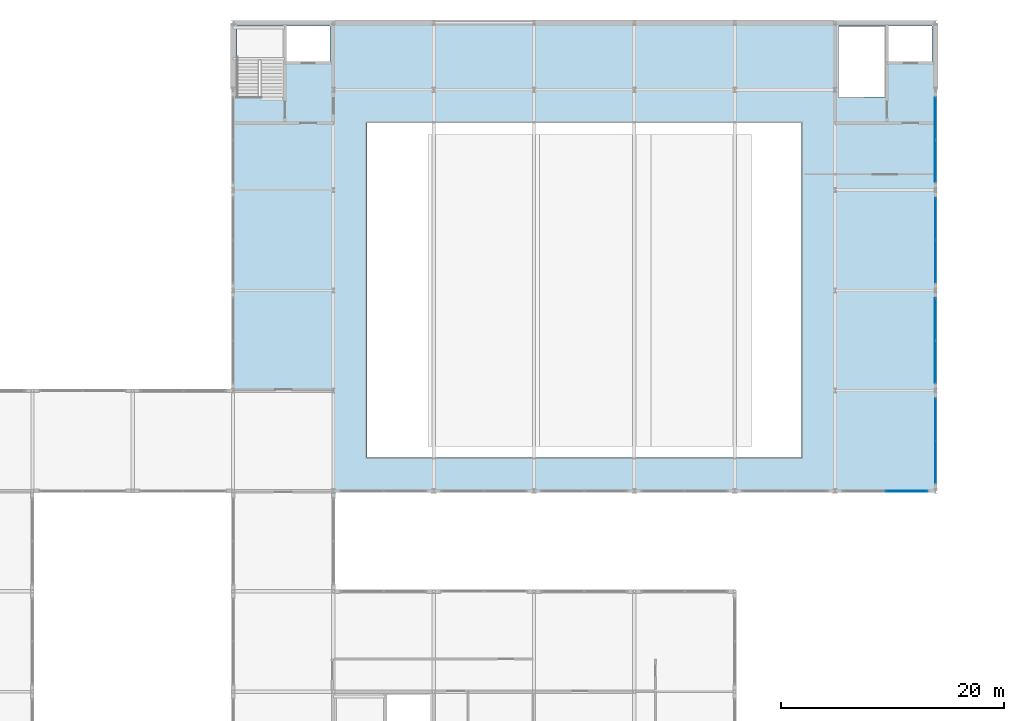
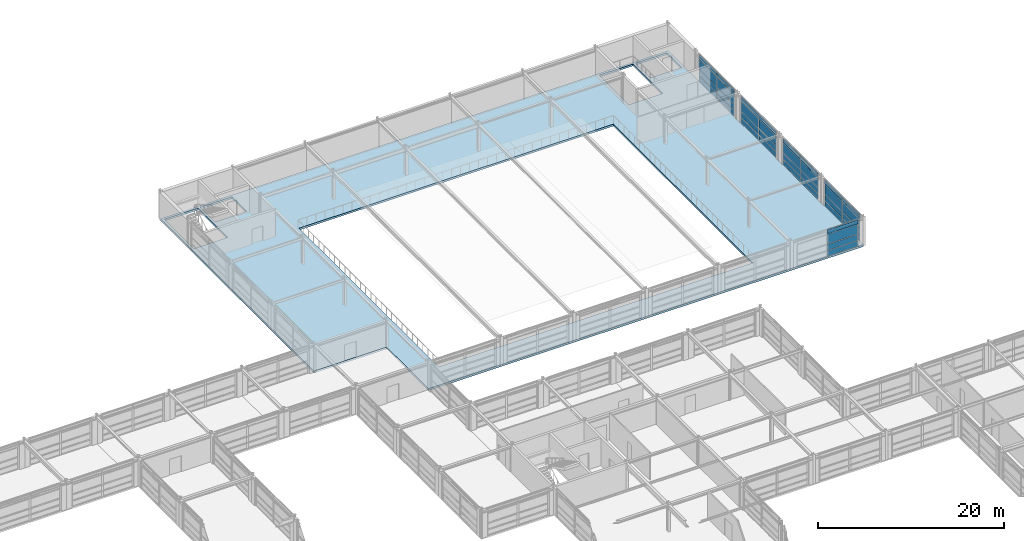
# One storey, part 61 of 79: 36 plates, 1 slab, 5 elements without a shape of their own.
"""IFC4 building model written with IfcOpenShell, lengths in metres."""

from ifc_helpers import new_model, si_unit, direction, frame, origin, origin_2d, place, context, subcontext, project, spatial, polyline, rectangle, outline, extrude, material, layer, layer_set, type_object, element, aggregate, save


model = new_model("IFC4")

# Units and contexts
model_context = context("Model", 3, precision=1e-05, world=origin(), true_north=direction((0.0, 1.0)))
body_context = subcontext(model_context, "Body", "Model", "MODEL_VIEW")
ifc_project = project(units=[si_unit("LENGTHUNIT", "METRE"), si_unit("AREAUNIT", "SQUARE_METRE"), si_unit("VOLUMEUNIT", "CUBIC_METRE"), si_unit("PLANEANGLEUNIT", "RADIAN"), si_unit("MASSUNIT", "GRAM", prefix="KILO")], contexts=[model_context])

# Site, building, storey
site_placement = place(None, origin())
site = spatial("IfcSite", under=ifc_project, at=site_placement, CompositionType="ELEMENT")
building_placement = place(site_placement, origin())
building = spatial("IfcBuilding", under=site, at=building_placement, Name="Palais des Congres Ocreval", CompositionType="ELEMENT")
storey_placement = place(building_placement, frame((0.0, 0.0, 4.320068359375)))
storey = spatial("IfcBuildingStorey", under=building, at=storey_placement, Name="L01", CompositionType="ELEMENT", Elevation=4.320068359375)

# Curtain wall, plates
ifc_material_1 = material(Name="Anodized bronze aluminium and low-E glass", Category="glass")
curtain_wall_type = type_object("IfcCurtainWallType", Name="Unitised Curtain Wall 7900x3660", PredefinedType="USERDEFINED", material=ifc_material_1)
curtain_wall_1_placement = place(storey_placement, origin())
curtain_wall_1 = element("IfcCurtainWall", 1, at=curtain_wall_1_placement, inside=storey, type_object=curtain_wall_type, Name="Unitised Curtain Wall CW02 L01", ObjectType="UNITISED CURTAIN WALL", PredefinedType="USERDEFINED")
ifc_material_2 = material(Name="Acoustic triple glazing", Category="glass")
ifc_layer_1 = layer(ifc_material_2, 0.0439453125)
ifc_layer_set_1 = layer_set([ifc_layer_1], Name="Acoustic Laminated Glazing Panel 44 (Acoustic triple glazing)")
plate_type_1 = type_object("IfcPlateType", Name="Acoustic Laminated Glazing Panel 44", PredefinedType="CURTAIN_PANEL", material=ifc_layer_set_1)
plate_1_placement = place(storey_placement, frame((162.0, 105.40625, 0.06005859375), z_axis=(0.0, 0.0, 1.0), x_axis=(0.0, -1.0, 0.0)))
plate_1 = element("IfcPlate", 2, at=plate_1_placement, type_object=plate_type_1, Name="Vision Glazing Panel VP02", PredefinedType="CURTAIN_PANEL", context=body_context, shape_type="SweptSolid", body=[
    extrude(rectangle(XDim=3.737548828125, YDim=0.0439453125, at=origin_2d()), origin(), (0.0, 0.0, 1.0), 0.68994140625),
])
plate_2_placement = place(storey_placement, frame((162.0, 105.40625, 0.81005859375), z_axis=(0.0, 0.0, 1.0), x_axis=(0.0, -1.0, 0.0)))
plate_2 = element("IfcPlate", 3, at=plate_2_placement, type_object=plate_type_1, Name="Vision Glazing Panel VP02", PredefinedType="CURTAIN_PANEL", context=body_context, shape_type="SweptSolid", body=[
    extrude(rectangle(XDim=3.737548828125, YDim=0.0439453125, at=origin_2d()), origin(), (0.0, 0.0, 1.0), 0.782470703125),
])
plate_3_placement = place(storey_placement, frame((162.0, 105.40625, 1.65234375), z_axis=(0.0, 0.0, 1.0), x_axis=(0.0, -1.0, 0.0)))
plate_3 = element("IfcPlate", 4, at=plate_3_placement, type_object=plate_type_1, Name="Vision Glazing Panel VP02", PredefinedType="CURTAIN_PANEL", context=body_context, shape_type="SweptSolid", body=[
    extrude(rectangle(XDim=3.737548828125, YDim=0.0439453125, at=origin_2d()), origin(), (0.0, 0.0, 1.0), 1.267578125),
])
plate_4_placement = place(storey_placement, frame((162.0, 101.59375, 0.06005859375), z_axis=(0.0, 0.0, 1.0), x_axis=(0.0, -1.0, 0.0)))
plate_4 = element("IfcPlate", 5, at=plate_4_placement, type_object=plate_type_1, Name="Vision Glazing Panel VP02", PredefinedType="CURTAIN_PANEL", context=body_context, shape_type="SweptSolid", body=[
    extrude(rectangle(XDim=3.737548828125, YDim=0.0439453125, at=origin_2d()), origin(), (0.0, 0.0, 1.0), 0.68994140625),
])
plate_5_placement = place(storey_placement, frame((162.0, 101.59375, 0.81005859375), z_axis=(0.0, 0.0, 1.0), x_axis=(0.0, -1.0, 0.0)))
plate_5 = element("IfcPlate", 6, at=plate_5_placement, type_object=plate_type_1, Name="Vision Glazing Panel VP02", PredefinedType="CURTAIN_PANEL", context=body_context, shape_type="SweptSolid", body=[
    extrude(rectangle(XDim=3.737548828125, YDim=0.0439453125, at=origin_2d()), origin(), (0.0, 0.0, 1.0), 0.782470703125),
])
plate_6_placement = place(storey_placement, frame((162.0, 101.59375, 1.65234375), z_axis=(0.0, 0.0, 1.0), x_axis=(0.0, -1.0, 0.0)))
plate_6 = element("IfcPlate", 7, at=plate_6_placement, type_object=plate_type_1, Name="Vision Glazing Panel VP02", PredefinedType="CURTAIN_PANEL", context=body_context, shape_type="SweptSolid", body=[
    extrude(rectangle(XDim=3.737548828125, YDim=0.0439453125, at=origin_2d()), origin(), (0.0, 0.0, 1.0), 1.267578125),
])

curtain_wall_2_placement = place(storey_placement, origin())
curtain_wall_2 = element("IfcCurtainWall", 8, at=curtain_wall_2_placement, inside=storey, type_object=curtain_wall_type, Name="Unitised Curtain Wall CW02 L01", ObjectType="UNITISED CURTAIN WALL", PredefinedType="USERDEFINED")
plate_7_placement = place(storey_placement, frame((162.0, 78.40625, 0.06005859375), z_axis=(0.0, 0.0, 1.0), x_axis=(0.0, -1.0, 0.0)))
plate_7 = element("IfcPlate", 9, at=plate_7_placement, type_object=plate_type_1, Name="Vision Glazing Panel VP02", PredefinedType="CURTAIN_PANEL", context=body_context, shape_type="SweptSolid", body=[
    extrude(rectangle(XDim=3.737548828125, YDim=0.0439453125, at=origin_2d()), origin(), (0.0, 0.0, 1.0), 0.68994140625),
])
plate_8_placement = place(storey_placement, frame((162.0, 78.40625, 0.81005859375), z_axis=(0.0, 0.0, 1.0), x_axis=(0.0, -1.0, 0.0)))
plate_8 = element("IfcPlate", 10, at=plate_8_placement, type_object=plate_type_1, Name="Vision Glazing Panel VP02", PredefinedType="CURTAIN_PANEL", context=body_context, shape_type="SweptSolid", body=[
    extrude(rectangle(XDim=3.737548828125, YDim=0.0439453125, at=origin_2d()), origin(), (0.0, 0.0, 1.0), 0.782470703125),
])
plate_9_placement = place(storey_placement, frame((162.0, 78.40625, 1.65234375), z_axis=(0.0, 0.0, 1.0), x_axis=(0.0, -1.0, 0.0)))
plate_9 = element("IfcPlate", 11, at=plate_9_placement, type_object=plate_type_1, Name="Vision Glazing Panel VP02", PredefinedType="CURTAIN_PANEL", context=body_context, shape_type="SweptSolid", body=[
    extrude(rectangle(XDim=3.737548828125, YDim=0.0439453125, at=origin_2d()), origin(), (0.0, 0.0, 1.0), 1.267578125),
])
plate_10_placement = place(storey_placement, frame((162.0, 74.59375, 0.06005859375), z_axis=(0.0, 0.0, 1.0), x_axis=(0.0, -1.0, 0.0)))
plate_10 = element("IfcPlate", 12, at=plate_10_placement, type_object=plate_type_1, Name="Vision Glazing Panel VP02", PredefinedType="CURTAIN_PANEL", context=body_context, shape_type="SweptSolid", body=[
    extrude(rectangle(XDim=3.737548828125, YDim=0.0439453125, at=origin_2d()), origin(), (0.0, 0.0, 1.0), 0.68994140625),
])
plate_11_placement = place(storey_placement, frame((162.0, 74.59375, 0.81005859375), z_axis=(0.0, 0.0, 1.0), x_axis=(0.0, -1.0, 0.0)))
plate_11 = element("IfcPlate", 13, at=plate_11_placement, type_object=plate_type_1, Name="Vision Glazing Panel VP02", PredefinedType="CURTAIN_PANEL", context=body_context, shape_type="SweptSolid", body=[
    extrude(rectangle(XDim=3.737548828125, YDim=0.0439453125, at=origin_2d()), origin(), (0.0, 0.0, 1.0), 0.782470703125),
])
plate_12_placement = place(storey_placement, frame((162.0, 74.59375, 1.65234375), z_axis=(0.0, 0.0, 1.0), x_axis=(0.0, -1.0, 0.0)))
plate_12 = element("IfcPlate", 14, at=plate_12_placement, type_object=plate_type_1, Name="Vision Glazing Panel VP02", PredefinedType="CURTAIN_PANEL", context=body_context, shape_type="SweptSolid", body=[
    extrude(rectangle(XDim=3.737548828125, YDim=0.0439453125, at=origin_2d()), origin(), (0.0, 0.0, 1.0), 1.267578125),
])

curtain_wall_3_placement = place(storey_placement, origin())
curtain_wall_3 = element("IfcCurtainWall", 15, at=curtain_wall_3_placement, inside=storey, type_object=curtain_wall_type, Name="Unitised Curtain Wall CW02 L01", ObjectType="UNITISED CURTAIN WALL", PredefinedType="USERDEFINED")
ifc_material_3 = material(Name="Anodized bronze aluminium", Category="aluminium")
ifc_layer_2 = layer(ifc_material_3, 0.06005859375)
ifc_layer_set_2 = layer_set([ifc_layer_2], Name="Anodized Bronze Spandrel Cassette 60 (Anodized bronze aluminium)")
plate_type_2 = type_object("IfcPlateType", Name="Anodized Bronze Spandrel Cassette 60", PredefinedType="SHEET", material=ifc_layer_set_2)
plate_13_placement = place(storey_placement, frame((162.0, 96.40625, 2.97998046875), z_axis=(0.0, 0.0, 1.0), x_axis=(0.0, -1.0, 0.0)))
plate_13 = element("IfcPlate", 16, at=plate_13_placement, type_object=plate_type_2, Name="Spandrel Sheet SPN1", PredefinedType="SHEET", context=body_context, shape_type="SweptSolid", body=[
    extrude(rectangle(XDim=3.737548828125, YDim=0.06005859375, at=origin_2d()), origin(), (0.0, 0.0, 1.0), 0.56005859375),
])
plate_14_placement = place(storey_placement, frame((162.0, 92.59375, 2.97998046875), z_axis=(0.0, 0.0, 1.0), x_axis=(0.0, -1.0, 0.0)))
plate_14 = element("IfcPlate", 17, at=plate_14_placement, type_object=plate_type_2, Name="Spandrel Sheet SPN1", PredefinedType="SHEET", context=body_context, shape_type="SweptSolid", body=[
    extrude(rectangle(XDim=3.737548828125, YDim=0.06005859375, at=origin_2d()), origin(), (0.0, 0.0, 1.0), 0.56005859375),
])

# Plate
plate_15_placement = place(storey_placement, frame((162.0, 78.40625, 2.97998046875), z_axis=(0.0, 0.0, 1.0), x_axis=(0.0, -1.0, 0.0)))
plate_15 = element("IfcPlate", 18, at=plate_15_placement, type_object=plate_type_2, Name="Spandrel Sheet SPN1", PredefinedType="SHEET", context=body_context, shape_type="SweptSolid", body=[
    extrude(rectangle(XDim=3.737548828125, YDim=0.06005859375, at=origin_2d()), origin(), (0.0, 0.0, 1.0), 0.56005859375),
])

plate_16_placement = place(storey_placement, frame((162.0, 74.59375, 2.97998046875), z_axis=(0.0, 0.0, 1.0), x_axis=(0.0, -1.0, 0.0)))
plate_16 = element("IfcPlate", 19, at=plate_16_placement, type_object=plate_type_2, Name="Spandrel Sheet SPN1", PredefinedType="SHEET", context=body_context, shape_type="SweptSolid", body=[
    extrude(rectangle(XDim=3.737548828125, YDim=0.06005859375, at=origin_2d()), origin(), (0.0, 0.0, 1.0), 0.56005859375),
])

aggregate(curtain_wall_2, [plate_7, plate_8, plate_9, plate_15, plate_10, plate_11, plate_12, plate_16])

# Slab
ifc_material_4 = material(Name="Concrete C35/45", Category="concrete")
ifc_layer_3 = layer(ifc_material_4, 0.2548828125)
ifc_layer_set_3 = layer_set([ifc_layer_3], Name="Composite Floor Deck 255 Concrete C35/45")
slab_type = type_object("IfcSlabType", Name="Composite Floor Deck 255 Concrete C35/45", PredefinedType="FLOOR", material=ifc_layer_set_3)
slab_placement = place(storey_placement, frame((0.0, 0.0, -0.255126953125)))
element("IfcSlab", 20, at=slab_placement, inside=storey, type_object=slab_type, Name="Floor Slab SL13 L01 V2-1", PredefinedType="FLOOR", context=body_context, shape_type="SweptSolid", body=[
    extrude(outline(polyline([(108.0, 72.0), (108.0, 81.0), (99.0, 81.0), (99.0, 114.0), (108.0, 114.0), (162.0, 114.0), (162.0, 72.0), (108.0, 72.0)]), holes=[polyline([(150.0, 105.0), (111.0, 105.0), (111.0, 75.0), (150.0, 75.0), (150.0, 105.0)]), polyline([(103.5, 113.699951171875), (99.300048828125, 113.699951171875), (99.300048828125, 107.35009765625), (103.5, 107.35009765625), (103.5, 113.699951171875)]), polyline([(157.5, 113.699951171875), (153.300048828125, 113.699951171875), (153.300048828125, 107.35009765625), (157.5, 107.35009765625), (157.5, 113.699951171875)]), polyline([(107.699951171875, 113.699951171875), (103.800048828125, 113.699951171875), (103.800048828125, 110.550048828125), (107.699951171875, 110.550048828125), (107.699951171875, 113.699951171875)]), polyline([(161.699951171875, 113.699951171875), (157.800048828125, 113.699951171875), (157.800048828125, 110.550048828125), (161.699951171875, 110.550048828125), (161.699951171875, 113.699951171875)])]), origin(), (0.0, 0.0, 1.0), 0.255126953125),
])

# Plate
ifc_material_5 = material(Name="Low-E solar-control double glazing", Category="glass")
ifc_layer_4 = layer(ifc_material_5, 0.031982421875)
ifc_layer_set_4 = layer_set([ifc_layer_4], Name="Galleria Clear Vision Panel 32 (Low-E solar-control double glazing)")
plate_type_3 = type_object("IfcPlateType", Name="Galleria Clear Vision Panel 32", PredefinedType="CURTAIN_PANEL", material=ifc_layer_set_4)
plate_17_placement = place(storey_placement, frame((162.0, 96.40625, 0.06005859375), z_axis=(0.0, 0.0, 1.0), x_axis=(0.0, -1.0, 0.0)))
plate_17 = element("IfcPlate", 21, at=plate_17_placement, type_object=plate_type_3, Name="Vision Glazing Panel VP03", PredefinedType="CURTAIN_PANEL", context=body_context, shape_type="SweptSolid", body=[
    extrude(rectangle(XDim=3.737548828125, YDim=0.031982421875, at=origin_2d()), origin(), (0.0, 0.0, 1.0), 0.68994140625),
])

plate_18_placement = place(storey_placement, frame((162.0, 96.40625, 0.81005859375), z_axis=(0.0, 0.0, 1.0), x_axis=(0.0, -1.0, 0.0)))
plate_18 = element("IfcPlate", 22, at=plate_18_placement, type_object=plate_type_3, Name="Vision Glazing Panel VP03", PredefinedType="CURTAIN_PANEL", context=body_context, shape_type="SweptSolid", body=[
    extrude(rectangle(XDim=3.737548828125, YDim=0.031982421875, at=origin_2d()), origin(), (0.0, 0.0, 1.0), 0.782470703125),
])

plate_19_placement = place(storey_placement, frame((162.0, 96.40625, 1.65234375), z_axis=(0.0, 0.0, 1.0), x_axis=(0.0, -1.0, 0.0)))
plate_19 = element("IfcPlate", 23, at=plate_19_placement, type_object=plate_type_3, Name="Vision Glazing Panel VP03", PredefinedType="CURTAIN_PANEL", context=body_context, shape_type="SweptSolid", body=[
    extrude(rectangle(XDim=3.737548828125, YDim=0.031982421875, at=origin_2d()), origin(), (0.0, 0.0, 1.0), 1.267578125),
])

plate_20_placement = place(storey_placement, frame((162.0, 92.59375, 0.06005859375), z_axis=(0.0, 0.0, 1.0), x_axis=(0.0, -1.0, 0.0)))
plate_20 = element("IfcPlate", 24, at=plate_20_placement, type_object=plate_type_3, Name="Vision Glazing Panel VP03", PredefinedType="CURTAIN_PANEL", context=body_context, shape_type="SweptSolid", body=[
    extrude(rectangle(XDim=3.737548828125, YDim=0.031982421875, at=origin_2d()), origin(), (0.0, 0.0, 1.0), 0.68994140625),
])

plate_21_placement = place(storey_placement, frame((162.0, 92.59375, 0.81005859375), z_axis=(0.0, 0.0, 1.0), x_axis=(0.0, -1.0, 0.0)))
plate_21 = element("IfcPlate", 25, at=plate_21_placement, type_object=plate_type_3, Name="Vision Glazing Panel VP03", PredefinedType="CURTAIN_PANEL", context=body_context, shape_type="SweptSolid", body=[
    extrude(rectangle(XDim=3.737548828125, YDim=0.031982421875, at=origin_2d()), origin(), (0.0, 0.0, 1.0), 0.782470703125),
])

plate_22_placement = place(storey_placement, frame((162.0, 92.59375, 1.65234375), z_axis=(0.0, 0.0, 1.0), x_axis=(0.0, -1.0, 0.0)))
plate_22 = element("IfcPlate", 26, at=plate_22_placement, type_object=plate_type_3, Name="Vision Glazing Panel VP03", PredefinedType="CURTAIN_PANEL", context=body_context, shape_type="SweptSolid", body=[
    extrude(rectangle(XDim=3.737548828125, YDim=0.031982421875, at=origin_2d()), origin(), (0.0, 0.0, 1.0), 1.267578125),
])

aggregate(curtain_wall_3, [plate_17, plate_18, plate_19, plate_13, plate_20, plate_21, plate_22, plate_14])

# Curtain wall, plates
curtain_wall_4_placement = place(storey_placement, origin())
curtain_wall_4 = element("IfcCurtainWall", 27, at=curtain_wall_4_placement, inside=storey, type_object=curtain_wall_type, Name="Unitised Curtain Wall CW02 L01", ObjectType="UNITISED CURTAIN WALL", PredefinedType="USERDEFINED")
plate_23_placement = place(storey_placement, frame((159.40625, 72.0, 0.06005859375), z_axis=(0.0, 0.0, 1.0), x_axis=(-1.0, 0.0, 0.0)))
plate_23 = element("IfcPlate", 28, at=plate_23_placement, type_object=plate_type_3, Name="Vision Glazing Panel VP03", PredefinedType="CURTAIN_PANEL", context=body_context, shape_type="SweptSolid", body=[
    extrude(rectangle(XDim=3.737548828125, YDim=0.031982421875, at=origin_2d()), origin(), (0.0, 0.0, 1.0), 0.68994140625),
])
plate_24_placement = place(storey_placement, frame((159.40625, 72.0, 0.81005859375), z_axis=(0.0, 0.0, 1.0), x_axis=(-1.0, 0.0, 0.0)))
plate_24 = element("IfcPlate", 29, at=plate_24_placement, type_object=plate_type_3, Name="Vision Glazing Panel VP03", PredefinedType="CURTAIN_PANEL", context=body_context, shape_type="SweptSolid", body=[
    extrude(rectangle(XDim=3.737548828125, YDim=0.031982421875, at=origin_2d()), origin(), (0.0, 0.0, 1.0), 0.782470703125),
])
plate_25_placement = place(storey_placement, frame((159.40625, 72.0, 1.65234375), z_axis=(0.0, 0.0, 1.0), x_axis=(-1.0, 0.0, 0.0)))
plate_25 = element("IfcPlate", 30, at=plate_25_placement, type_object=plate_type_3, Name="Vision Glazing Panel VP03", PredefinedType="CURTAIN_PANEL", context=body_context, shape_type="SweptSolid", body=[
    extrude(rectangle(XDim=3.737548828125, YDim=0.031982421875, at=origin_2d()), origin(), (0.0, 0.0, 1.0), 1.267578125),
])

curtain_wall_5_placement = place(storey_placement, origin())
curtain_wall_5 = element("IfcCurtainWall", 31, at=curtain_wall_5_placement, inside=storey, type_object=curtain_wall_type, Name="Unitised Curtain Wall CW02 L01", ObjectType="UNITISED CURTAIN WALL", PredefinedType="USERDEFINED")
ifc_layer_5 = layer(ifc_material_5, 0.035888671875)
ifc_layer_set_5 = layer_set([ifc_layer_5], Name="Low-E Vision Glazing Panel 36 (Low-E solar-control double glazing)")
plate_type_4 = type_object("IfcPlateType", Name="Low-E Vision Glazing Panel 36", PredefinedType="CURTAIN_PANEL", material=ifc_layer_set_5)
plate_26_placement = place(storey_placement, frame((162.0, 87.40625, 0.06005859375), z_axis=(0.0, 0.0, 1.0), x_axis=(0.0, -1.0, 0.0)))
plate_26 = element("IfcPlate", 32, at=plate_26_placement, type_object=plate_type_4, Name="Vision Glazing Panel VP01", PredefinedType="CURTAIN_PANEL", context=body_context, shape_type="SweptSolid", body=[
    extrude(rectangle(XDim=3.737548828125, YDim=0.035888671875, at=origin_2d()), origin(), (0.0, 0.0, 1.0), 0.68994140625),
])
plate_27_placement = place(storey_placement, frame((162.0, 87.40625, 0.81005859375), z_axis=(0.0, 0.0, 1.0), x_axis=(0.0, -1.0, 0.0)))
plate_27 = element("IfcPlate", 33, at=plate_27_placement, type_object=plate_type_4, Name="Vision Glazing Panel VP01", PredefinedType="CURTAIN_PANEL", context=body_context, shape_type="SweptSolid", body=[
    extrude(rectangle(XDim=3.737548828125, YDim=0.035888671875, at=origin_2d()), origin(), (0.0, 0.0, 1.0), 0.782470703125),
])
plate_28_placement = place(storey_placement, frame((162.0, 87.40625, 1.65234375), z_axis=(0.0, 0.0, 1.0), x_axis=(0.0, -1.0, 0.0)))
plate_28 = element("IfcPlate", 34, at=plate_28_placement, type_object=plate_type_4, Name="Vision Glazing Panel VP01", PredefinedType="CURTAIN_PANEL", context=body_context, shape_type="SweptSolid", body=[
    extrude(rectangle(XDim=3.737548828125, YDim=0.035888671875, at=origin_2d()), origin(), (0.0, 0.0, 1.0), 1.267578125),
])
plate_29_placement = place(storey_placement, frame((162.0, 83.59375, 0.06005859375), z_axis=(0.0, 0.0, 1.0), x_axis=(0.0, -1.0, 0.0)))
plate_29 = element("IfcPlate", 35, at=plate_29_placement, type_object=plate_type_4, Name="Vision Glazing Panel VP01", PredefinedType="CURTAIN_PANEL", context=body_context, shape_type="SweptSolid", body=[
    extrude(rectangle(XDim=3.737548828125, YDim=0.035888671875, at=origin_2d()), origin(), (0.0, 0.0, 1.0), 0.68994140625),
])
plate_30_placement = place(storey_placement, frame((162.0, 83.59375, 0.81005859375), z_axis=(0.0, 0.0, 1.0), x_axis=(0.0, -1.0, 0.0)))
plate_30 = element("IfcPlate", 36, at=plate_30_placement, type_object=plate_type_4, Name="Vision Glazing Panel VP01", PredefinedType="CURTAIN_PANEL", context=body_context, shape_type="SweptSolid", body=[
    extrude(rectangle(XDim=3.737548828125, YDim=0.035888671875, at=origin_2d()), origin(), (0.0, 0.0, 1.0), 0.782470703125),
])
plate_31_placement = place(storey_placement, frame((162.0, 83.59375, 1.65234375), z_axis=(0.0, 0.0, 1.0), x_axis=(0.0, -1.0, 0.0)))
plate_31 = element("IfcPlate", 37, at=plate_31_placement, type_object=plate_type_4, Name="Vision Glazing Panel VP01", PredefinedType="CURTAIN_PANEL", context=body_context, shape_type="SweptSolid", body=[
    extrude(rectangle(XDim=3.737548828125, YDim=0.035888671875, at=origin_2d()), origin(), (0.0, 0.0, 1.0), 1.267578125),
])

# Plate
ifc_material_6 = material(Name="Terracotta ceramic spandrel", Category="masonry")
ifc_layer_6 = layer(ifc_material_6, 0.080078125)
ifc_layer_set_6 = layer_set([ifc_layer_6], Name="Terracotta Insulated Spandrel Sheet 80 (Terracotta ceramic spandrel)")
plate_type_5 = type_object("IfcPlateType", Name="Terracotta Insulated Spandrel Sheet 80", PredefinedType="SHEET", material=ifc_layer_set_6)
plate_32_placement = place(storey_placement, frame((162.0, 105.40625, 2.97998046875), z_axis=(0.0, 0.0, 1.0), x_axis=(0.0, -1.0, 0.0)))
plate_32 = element("IfcPlate", 38, at=plate_32_placement, type_object=plate_type_5, Name="Spandrel Sheet SPN2", PredefinedType="SHEET", context=body_context, shape_type="SweptSolid", body=[
    extrude(rectangle(XDim=3.737548828125, YDim=0.080078125, at=origin_2d()), origin(), (0.0, 0.0, 1.0), 0.56005859375),
])

plate_33_placement = place(storey_placement, frame((162.0, 101.59375, 2.97998046875), z_axis=(0.0, 0.0, 1.0), x_axis=(0.0, -1.0, 0.0)))
plate_33 = element("IfcPlate", 39, at=plate_33_placement, type_object=plate_type_5, Name="Spandrel Sheet SPN2", PredefinedType="SHEET", context=body_context, shape_type="SweptSolid", body=[
    extrude(rectangle(XDim=3.737548828125, YDim=0.080078125, at=origin_2d()), origin(), (0.0, 0.0, 1.0), 0.56005859375),
])

aggregate(curtain_wall_1, [plate_1, plate_2, plate_3, plate_32, plate_4, plate_5, plate_6, plate_33])

plate_34_placement = place(storey_placement, frame((162.0, 87.40625, 2.97998046875), z_axis=(0.0, 0.0, 1.0), x_axis=(0.0, -1.0, 0.0)))
plate_34 = element("IfcPlate", 40, at=plate_34_placement, type_object=plate_type_5, Name="Spandrel Sheet SPN2", PredefinedType="SHEET", context=body_context, shape_type="SweptSolid", body=[
    extrude(rectangle(XDim=3.737548828125, YDim=0.080078125, at=origin_2d()), origin(), (0.0, 0.0, 1.0), 0.56005859375),
])

plate_35_placement = place(storey_placement, frame((162.0, 83.59375, 2.97998046875), z_axis=(0.0, 0.0, 1.0), x_axis=(0.0, -1.0, 0.0)))
plate_35 = element("IfcPlate", 41, at=plate_35_placement, type_object=plate_type_5, Name="Spandrel Sheet SPN2", PredefinedType="SHEET", context=body_context, shape_type="SweptSolid", body=[
    extrude(rectangle(XDim=3.737548828125, YDim=0.080078125, at=origin_2d()), origin(), (0.0, 0.0, 1.0), 0.56005859375),
])

aggregate(curtain_wall_5, [plate_26, plate_27, plate_28, plate_34, plate_29, plate_30, plate_31, plate_35])

plate_36_placement = place(storey_placement, frame((159.40625, 72.0, 2.97998046875), z_axis=(0.0, 0.0, 1.0), x_axis=(-1.0, 0.0, 0.0)))
plate_36 = element("IfcPlate", 42, at=plate_36_placement, type_object=plate_type_5, Name="Spandrel Sheet SPN2", PredefinedType="SHEET", context=body_context, shape_type="SweptSolid", body=[
    extrude(rectangle(XDim=3.737548828125, YDim=0.080078125, at=origin_2d()), origin(), (0.0, 0.0, 1.0), 0.56005859375),
])

aggregate(curtain_wall_4, [plate_23, plate_24, plate_25, plate_36])

save(model, "model.ifc")
